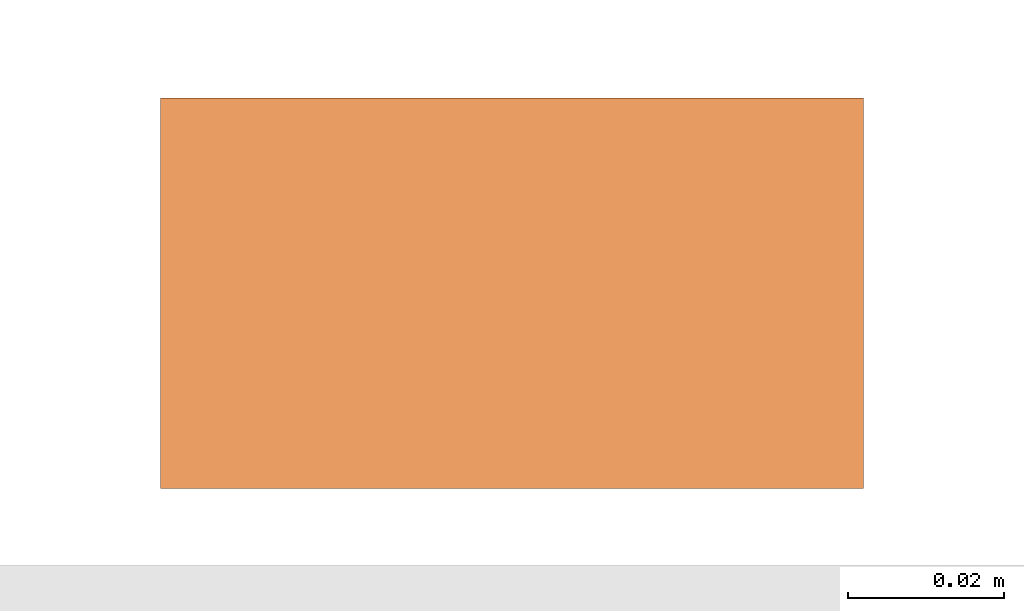
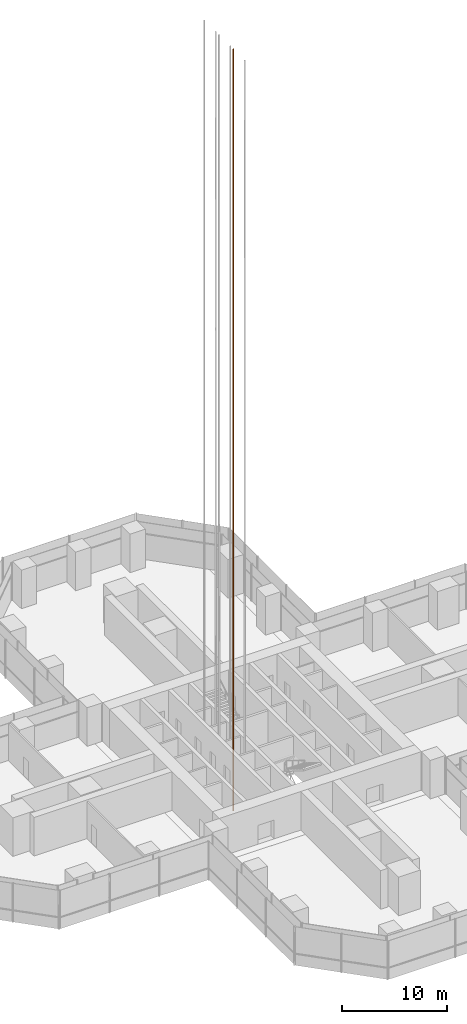
# One storey, part 23 of 27: 1 proxy.
"""IFC4 building model written with IfcOpenShell, lengths in metres."""

from ifc_helpers import new_model, si_unit, direction, frame, origin, origin_2d, place, context, subcontext, project, spatial, rectangle, extrude, material, element, save


model = new_model("IFC4")

# Units and contexts
model_context = context("Model", 3, precision=1e-05, world=origin(), true_north=direction((0.0, 1.0)))
body_context = subcontext(model_context, "Body", "Model", "MODEL_VIEW")
ifc_project = project(units=[si_unit("LENGTHUNIT", "METRE"), si_unit("AREAUNIT", "SQUARE_METRE"), si_unit("VOLUMEUNIT", "CUBIC_METRE"), si_unit("PLANEANGLEUNIT", "RADIAN"), si_unit("MASSUNIT", "GRAM", prefix="KILO")], contexts=[model_context])

# Site, building, storey
site_placement = place(None, origin())
site = spatial("IfcSite", under=ifc_project, at=site_placement, CompositionType="ELEMENT")
building_placement = place(site_placement, origin())
building = spatial("IfcBuilding", under=site, at=building_placement, Name="Mizan Broadcast Tower", CompositionType="ELEMENT")
storey_placement = place(building_placement, frame((0.0, 0.0, 113.699951171875)))
storey = spatial("IfcBuildingStorey", under=building, at=storey_placement, Name="L25", CompositionType="ELEMENT", Elevation=113.699951171875)

# Proxy
ifc_material = material(Name="Steel guide rail", Category="steel")
proxy_placement = place(storey_placement, frame((-3.324951171875, -0.2900390625, -3.89990234375), z_axis=(0.0, 0.0, 1.0), x_axis=(1.0, 0.0, 0.0)))
element("IfcBuildingElementProxy", 1, at=proxy_placement, inside=storey, material=ifc_material, Name="Guide rail LB1-2", PredefinedType="NOTDEFINED", context=body_context, shape_type="SweptSolid", body=[
    extrude(rectangle(XDim=0.090087890625, YDim=0.050048828125, at=origin_2d()), origin(), (0.0, 0.0, 1.0), 88.8701171875),
])

save(model, "model.ifc")
